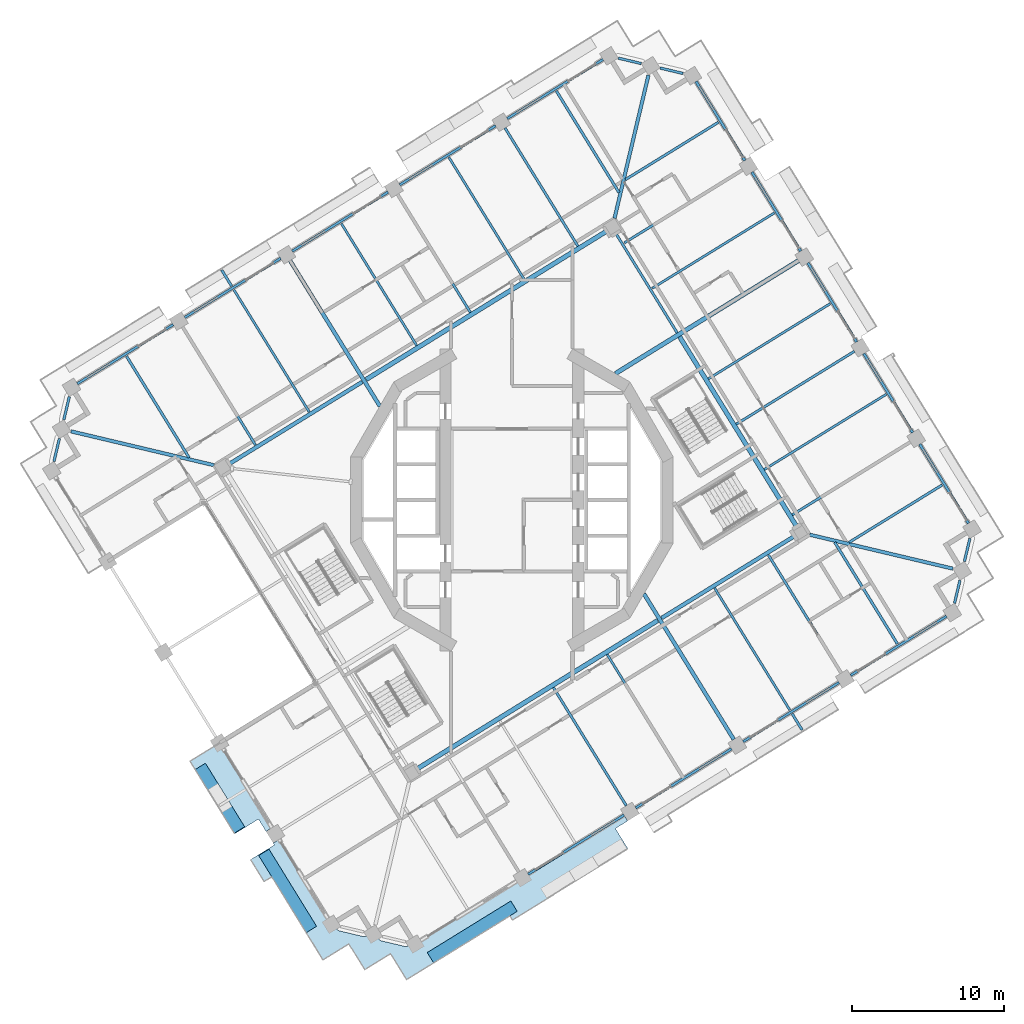
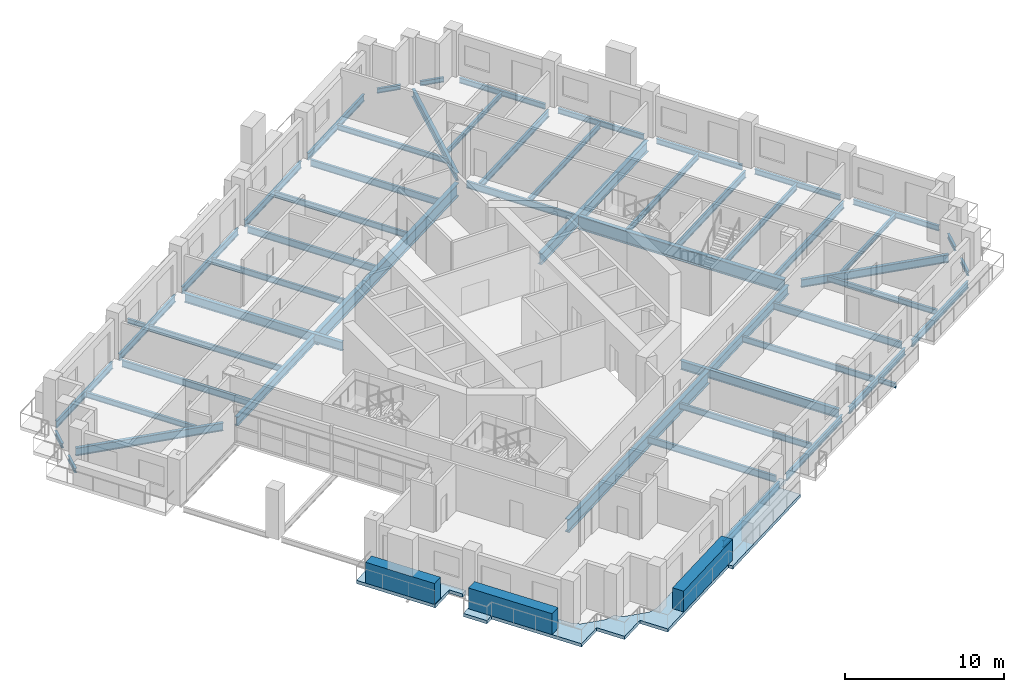
# One storey, part 3 of 20: 55 beams, 3 plates, 2 slabs.
"""IFC4 building model written with IfcOpenShell, lengths in metres."""

from ifc_helpers import new_model, si_unit, direction, frame, origin, origin_2d, place, context, subcontext, project, spatial, polyline, rectangle, i_section, outline, extrude, material, layer, layer_set, material_profile, profile_set, type_object, element, save


model = new_model("IFC4")

# Units and contexts
model_context = context("Model", 3, precision=1e-05, world=origin(), true_north=direction((0.0, 1.0)))
body_context = subcontext(model_context, "Body", "Model", "MODEL_VIEW")
ifc_project = project(units=[si_unit("LENGTHUNIT", "METRE"), si_unit("AREAUNIT", "SQUARE_METRE"), si_unit("VOLUMEUNIT", "CUBIC_METRE"), si_unit("PLANEANGLEUNIT", "RADIAN"), si_unit("MASSUNIT", "GRAM", prefix="KILO")], contexts=[model_context])

# Site, building, storey
site_placement = place(None, origin())
site = spatial("IfcSite", under=ifc_project, at=site_placement, CompositionType="ELEMENT")
building_placement = place(site_placement, origin())
building = spatial("IfcBuilding", under=site, at=building_placement, Name="Cantera Rosa Tower", CompositionType="ELEMENT")
storey_placement = place(building_placement, frame((0.0, 0.0, 151.39990234375)))
storey = spatial("IfcBuildingStorey", under=building, at=storey_placement, Name="L32", CompositionType="ELEMENT", Elevation=151.39990234375)

# Beams
ifc_material_1 = material(Name="Steel ASTM A992 (Fy 345 MPa)", Category="steel")
ifc_material_profile_1 = material_profile(ifc_material_1, i_section(OverallWidth=0.300048828125, OverallDepth=0.990966796875, WebThickness=0.0166015625, FlangeThickness=0.030517578125, FilletRadius=0.030029296875, at=origin_2d()), Name="W1000X272")
ifc_profile_set_1 = profile_set([ifc_material_profile_1], Name="Steel ASTM A992 (Fy 345 MPa)")
beam_type_1 = type_object("IfcBeamType", Name="STEEL BEAM W1000X272", PredefinedType="BEAM", material=ifc_profile_set_1)
beam_1_placement = place(storey_placement, frame((18.767822265625, -1.75927734375, -0.745361328125), z_axis=(-0.524974072618, 0.851118219215, 0.0), x_axis=(-0.851118219215, -0.524974072618, 0.0)))
element("IfcBeam", 1, at=beam_1_placement, inside=storey, type_object=beam_type_1, Name="RB-Z3-05 L32", PredefinedType="BEAM", context=body_context, shape_type="SweptSolid", body=[
    extrude(i_section(OverallWidth=0.300048828125, OverallDepth=0.990966796875, WebThickness=0.0166015625, FlangeThickness=0.030517578125, FilletRadius=0.030029296875, at=origin_2d()), origin(), (0.0, 0.0, 1.0), 14.7099609375),
])
ifc_material_2 = material(Name="Steel ASTM A992 (Fy 345 MPa)", Category="steel")
ifc_material_profile_2 = material_profile(ifc_material_2, i_section(OverallWidth=0.302001953125, OverallDepth=1.010009765625, WebThickness=0.02099609375, FlangeThickness=0.0400390625, FilletRadius=0.030029296875, at=origin_2d()), Name="W1000X350")
ifc_profile_set_2 = profile_set([ifc_material_profile_2], Name="Steel ASTM A992 (Fy 345 MPa)")
beam_type_2 = type_object("IfcBeamType", Name="STEEL BEAM W1000X350", PredefinedType="BEAM", material=ifc_profile_set_2)
for number, where, z_axis, x_axis, name in (
    (2, (-9.607666015625, 7.93798828125, -0.7548828125), (0.851118702028, 0.524973289852, 0.0), (-0.524973289852, 0.851118702028, 0.0), "RB-Z3-02 L32"),
    (3, (-6.231689453125, -17.707763671875, -0.7548828125), (0.851118702028, 0.524973289852, 0.0), (-0.524973289852, 0.851118702028, 0.0), "RB-Z3-03 L32"),
):
    element("IfcBeam", number, at=place(storey_placement, frame(where, z_axis=z_axis, x_axis=x_axis)), inside=storey, type_object=beam_type_2, Name=name, PredefinedType="BEAM", context=body_context, shape_type="SweptSolid", body=[
        extrude(i_section(OverallWidth=0.302001953125, OverallDepth=1.010009765625, WebThickness=0.02099609375, FlangeThickness=0.0400390625, FilletRadius=0.030029296875, at=origin_2d()), origin(), (0.0, 0.0, 1.0), 18.610107421875),
    ])
ifc_material_3 = material(Name="Steel ASTM A992 (Fy 345 MPa)", Category="steel")
ifc_material_profile_3 = material_profile(ifc_material_3, i_section(OverallWidth=0.166015625, OverallDepth=0.528076171875, WebThickness=0.009765625, FlangeThickness=0.013671875, FilletRadius=0.0126953125, at=origin_2d()), Name="W530X74")
ifc_profile_set_3 = profile_set([ifc_material_profile_3], Name="Steel ASTM A992 (Fy 345 MPa)")
beam_type_3 = type_object("IfcBeamType", Name="STEEL BEAM W530X74", PredefinedType="BEAM", material=ifc_profile_set_3)
beam_2_placement = place(storey_placement, frame((26.252685546875, 3.82080078125, -0.513916015625), z_axis=(-0.851116426313, -0.524976979362, 0.0), x_axis=(0.524976979362, -0.851116426313, 0.0)))
element("IfcBeam", 4, at=beam_2_placement, inside=storey, type_object=beam_type_3, Name="G-Z3-01 L32", PredefinedType="BEAM", context=body_context, shape_type="SweptSolid", body=[
    extrude(i_section(OverallWidth=0.166015625, OverallDepth=0.528076171875, WebThickness=0.009765625, FlangeThickness=0.013671875, FilletRadius=0.0126953125, at=origin_2d()), origin(), (0.0, 0.0, 1.0), 9.14990234375),
])
for number, where, z_axis, x_axis, name in (
    (5, (22.5673828125, 9.795654296875, -0.513916015625), (-0.851123779764, -0.524965057427, 0.0), (0.524965057427, -0.851123779764, 0.0), "G-Z3-02 L32"),
    (6, (15.19677734375, 21.745361328125, -0.513916015625), (-0.851123779764, -0.524965057427, 0.0), (0.524965057427, -0.851123779764, 0.0), "G-Z3-04 L32"),
):
    element("IfcBeam", number, at=place(storey_placement, frame(where, z_axis=z_axis, x_axis=x_axis)), inside=storey, type_object=beam_type_3, Name=name, PredefinedType="BEAM", context=body_context, shape_type="SweptSolid", body=[
        extrude(i_section(OverallWidth=0.166015625, OverallDepth=0.528076171875, WebThickness=0.009765625, FlangeThickness=0.013671875, FilletRadius=0.0126953125, at=origin_2d()), origin(), (0.0, 0.0, 1.0), 9.150146484375),
    ])
beam_3_placement = place(storey_placement, frame((-0.455078125, 24.51025390625, -0.513916015625), z_axis=(0.524976979362, -0.851116426313, 0.0), x_axis=(0.851116426313, 0.524976979362, 0.0)))
element("IfcBeam", 7, at=beam_3_placement, inside=storey, type_object=beam_type_3, Name="G-Z3-05 L32", PredefinedType="BEAM", context=body_context, shape_type="SweptSolid", body=[
    extrude(i_section(OverallWidth=0.166015625, OverallDepth=0.528076171875, WebThickness=0.009765625, FlangeThickness=0.013671875, FilletRadius=0.0126953125, at=origin_2d()), origin(), (0.0, 0.0, 1.0), 9.14990234375),
])
beam_4_placement = place(storey_placement, frame((-7.536376953125, 20.142578125, -0.513916015625), z_axis=(0.524965057427, -0.851123779764, 0.0), x_axis=(0.851123779764, 0.524965057427, 0.0)))
element("IfcBeam", 8, at=beam_4_placement, inside=storey, type_object=beam_type_3, Name="G-Z3-06 L32", PredefinedType="BEAM", context=body_context, shape_type="SweptSolid", body=[
    extrude(i_section(OverallWidth=0.166015625, OverallDepth=0.528076171875, WebThickness=0.009765625, FlangeThickness=0.013671875, FilletRadius=0.0126953125, at=origin_2d()), origin(), (0.0, 0.0, 1.0), 9.150146484375),
])
beam_5_placement = place(storey_placement, frame((-21.698974609375, 11.40673828125, -0.513916015625), z_axis=(0.524976979362, -0.851116426313, 0.0), x_axis=(0.851116426313, 0.524976979362, 0.0)))
element("IfcBeam", 9, at=beam_5_placement, inside=storey, type_object=beam_type_3, Name="G-Z3-08 L32", PredefinedType="BEAM", context=body_context, shape_type="SweptSolid", body=[
    extrude(i_section(OverallWidth=0.166015625, OverallDepth=0.528076171875, WebThickness=0.009765625, FlangeThickness=0.013671875, FilletRadius=0.0126953125, at=origin_2d()), origin(), (0.0, 0.0, 1.0), 9.14990234375),
])
beam_6_placement = place(storey_placement, frame((7.536376953125, -20.142578125, -0.513916015625), z_axis=(-0.524965057427, 0.851123779764, 0.0), x_axis=(-0.851123779764, -0.524965057427, 0.0)))
element("IfcBeam", 10, at=beam_6_placement, inside=storey, type_object=beam_type_3, Name="G-Z3-10 L32", PredefinedType="BEAM", context=body_context, shape_type="SweptSolid", body=[
    extrude(i_section(OverallWidth=0.166015625, OverallDepth=0.528076171875, WebThickness=0.009765625, FlangeThickness=0.013671875, FilletRadius=0.0126953125, at=origin_2d()), origin(), (0.0, 0.0, 1.0), 9.150146484375),
])
beam_7_placement = place(storey_placement, frame((21.698974609375, -11.40673828125, -0.513916015625), z_axis=(-0.524976979362, 0.851116426313, 0.0), x_axis=(-0.851116426313, -0.524976979362, 0.0)))
element("IfcBeam", 11, at=beam_7_placement, inside=storey, type_object=beam_type_3, Name="G-Z3-12 L32", PredefinedType="BEAM", context=body_context, shape_type="SweptSolid", body=[
    extrude(i_section(OverallWidth=0.166015625, OverallDepth=0.528076171875, WebThickness=0.009765625, FlangeThickness=0.013671875, FilletRadius=0.0126953125, at=origin_2d()), origin(), (0.0, 0.0, 1.0), 9.14990234375),
])
beam_8_placement = place(storey_placement, frame((10.887939453125, 11.015869140625, -0.513916015625), z_axis=(-0.52497571981, 0.851117203216, 0.0), x_axis=(-0.851117203216, -0.52497571981, 0.0)))
element("IfcBeam", 12, at=beam_8_placement, inside=storey, type_object=beam_type_3, Name="RB-Z3-06 L32", PredefinedType="BEAM", context=body_context, shape_type="SweptSolid", body=[
    extrude(i_section(OverallWidth=0.166015625, OverallDepth=0.528076171875, WebThickness=0.009765625, FlangeThickness=0.013671875, FilletRadius=0.0126953125, at=origin_2d()), origin(), (0.0, 0.0, 1.0), 7.690185546875),
])
ifc_material_4 = material(Name="Steel ASTM A992 (Fy 345 MPa)", Category="steel")
ifc_material_profile_4 = material_profile(ifc_material_4, i_section(OverallWidth=0.22802734375, OverallDepth=0.60205078125, WebThickness=0.010498046875, FlangeThickness=0.014892578125, FilletRadius=0.0126953125, at=origin_2d()), Name="W610X101")
ifc_profile_set_4 = profile_set([ifc_material_profile_4], Name="Steel ASTM A992 (Fy 345 MPa)")
beam_type_4 = type_object("IfcBeamType", Name="STEEL BEAM W610X101", PredefinedType="BEAM", material=ifc_profile_set_4)
for number, where, z_axis, x_axis, name in (
    (13, (8.995361328125, 27.989501953125, -0.55078125), (-0.230622120091, -0.973043389436, 0.0), (0.973043389436, -0.230622120091, 0.0), "CB-Z3-01 L32"),
    (14, (-29.049560546875, 4.523193359375, -0.55078125), (0.973043389436, -0.230622120091, 0.0), (0.230622120091, 0.973043389436, 0.0), "CB-Z3-02 L32"),
    (15, (29.049560546875, -4.523193359375, -0.55078125), (-0.973043389436, 0.230622120091, 0.0), (-0.230622120091, -0.973043389436, 0.0), "CB-Z3-04 L32"),
):
    element("IfcBeam", number, at=place(storey_placement, frame(where, z_axis=z_axis, x_axis=x_axis)), inside=storey, type_object=beam_type_4, Name=name, PredefinedType="BEAM", context=body_context, shape_type="SweptSolid", body=[
        extrude(i_section(OverallWidth=0.22802734375, OverallDepth=0.60205078125, WebThickness=0.010498046875, FlangeThickness=0.014892578125, FilletRadius=0.0126953125, at=origin_2d()), origin(), (0.0, 0.0, 1.0), 9.6875),
    ])
ifc_material_5 = material(Name="Steel ASTM A992 (Fy 345 MPa)", Category="steel")
ifc_material_profile_5 = material_profile(ifc_material_5, i_section(OverallWidth=0.25390625, OverallDepth=0.677978515625, WebThickness=0.01171875, FlangeThickness=0.016357421875, FilletRadius=0.01513671875, at=origin_2d()), Name="W690X125")
ifc_profile_set_5 = profile_set([ifc_material_profile_5], Name="Steel ASTM A992 (Fy 345 MPa)")
beam_type_5 = type_object("IfcBeamType", Name="STEEL BEAM W690X125", PredefinedType="BEAM", material=ifc_profile_set_5)
for number, where, z_axis, x_axis, name in (
    (16, (-14.61767578125, 15.774658203125, -0.5888671875), (0.524984160378, -0.85111199695, 0.0), (0.85111199695, 0.524984160378, 0.0), "G-Z3-07 L32"),
    (17, (14.61767578125, -15.774658203125, -0.5888671875), (-0.524984160378, 0.85111199695, 0.0), (-0.85111199695, -0.524984160378, 0.0), "G-Z3-11 L32"),
):
    element("IfcBeam", number, at=place(storey_placement, frame(where, z_axis=z_axis, x_axis=x_axis)), inside=storey, type_object=beam_type_5, Name=name, PredefinedType="BEAM", context=body_context, shape_type="SweptSolid", body=[
        extrude(i_section(OverallWidth=0.25390625, OverallDepth=0.677978515625, WebThickness=0.01171875, FlangeThickness=0.016357421875, FilletRadius=0.01513671875, at=origin_2d()), origin(), (0.0, 0.0, 1.0), 11.271728515625),
    ])
for number, where, z_axis, x_axis, name in (
    (18, (-18.62109375, 2.37841796875, -0.5888671875), (0.851114508358, 0.524980088825, 0.0), (-0.524980088825, 0.851114508358, 0.0), "RB-Z3-01 L32"),
    (19, (9.863037109375, -7.780517578125, -0.5888671875), (0.851114508358, 0.524980088825, 0.0), (-0.524980088825, 0.851114508358, 0.0), "RB-Z3-04 L32"),
):
    element("IfcBeam", number, at=place(storey_placement, frame(where, z_axis=z_axis, x_axis=x_axis)), inside=storey, type_object=beam_type_5, Name=name, PredefinedType="BEAM", context=body_context, shape_type="SweptSolid", body=[
        extrude(i_section(OverallWidth=0.25390625, OverallDepth=0.677978515625, WebThickness=0.01171875, FlangeThickness=0.016357421875, FilletRadius=0.01513671875, at=origin_2d()), origin(), (0.0, 0.0, 1.0), 10.2900390625),
    ])
ifc_material_6 = material(Name="Steel ASTM A992 (Fy 345 MPa)", Category="steel")
ifc_material_profile_6 = material_profile(ifc_material_6, i_section(OverallWidth=0.2919921875, OverallDepth=0.8359375, WebThickness=0.013916015625, FlangeThickness=0.018798828125, FilletRadius=0.017822265625, at=origin_2d()), Name="W840X176")
ifc_profile_set_6 = profile_set([ifc_material_profile_6], Name="Steel ASTM A992 (Fy 345 MPa)")
beam_type_6 = type_object("IfcBeamType", Name="STEEL BEAM W840X176", PredefinedType="BEAM", material=ifc_profile_set_6)
beam_9_placement = place(storey_placement, frame((18.882080078125, 15.7705078125, -0.66796875), z_axis=(-0.8511231456, -0.524966085595, 0.0), x_axis=(0.524966085595, -0.8511231456, 0.0)))
element("IfcBeam", 20, at=beam_9_placement, inside=storey, type_object=beam_type_6, Name="G-Z3-03 L32", PredefinedType="BEAM", context=body_context, shape_type="SweptSolid", body=[
    extrude(i_section(OverallWidth=0.2919921875, OverallDepth=0.8359375, WebThickness=0.013916015625, FlangeThickness=0.018798828125, FilletRadius=0.017822265625, at=origin_2d()), origin(), (0.0, 0.0, 1.0), 14.17138671875),
])
ifc_material_7 = material(Name="Steel ASTM A992 (Fy 345 MPa)", Category="steel")
ifc_material_profile_7 = material_profile(ifc_material_7, i_section(OverallWidth=0.1708984375, OverallDepth=0.35595703125, WebThickness=0.00732421875, FlangeThickness=0.01171875, FilletRadius=0.010009765625, at=origin_2d()), Name="W360X51")
ifc_profile_set_7 = profile_set([ifc_material_profile_7], Name="Steel ASTM A992 (Fy 345 MPa)")
beam_type_7 = type_object("IfcBeamType", Name="STEEL JOIST W360X51", PredefinedType="JOIST", material=ifc_profile_set_7)
for number, where, z_axis, x_axis, name in (
    (21, (28.3505859375, 0.990966796875, -0.427978515625), (-0.851109089911, -0.524988873283, 0.0), (0.524988873283, -0.851109089911, 0.0), "B-Z3-01 L32"),
    (22, (13.609375, 24.890380859375, -0.427978515625), (-0.851109089911, -0.524988873283, 0.0), (0.524988873283, -0.851109089911, 0.0), "B-Z3-05 L32"),
):
    element("IfcBeam", number, at=place(storey_placement, frame(where, z_axis=z_axis, x_axis=x_axis)), inside=storey, type_object=beam_type_7, Name=name, PredefinedType="JOIST", context=body_context, shape_type="SweptSolid", body=[
        extrude(i_section(OverallWidth=0.1708984375, OverallDepth=0.35595703125, WebThickness=0.00732421875, FlangeThickness=0.01171875, FilletRadius=0.010009765625, at=origin_2d()), origin(), (0.0, 0.0, 1.0), 7.2099609375),
    ])
for number, where, z_axis, x_axis, name in (
    (23, (-18.462890625, 14.08447265625, -0.427978515625), (-0.524968880559, 0.851121421681, 0.0), (-0.851121421681, -0.524968880559, 0.0), "BS-Z3-02 L32"),
    (24, (18.462890625, -14.08447265625, -0.427978515625), (0.524968880559, -0.851121421681, 0.0), (0.851121421681, 0.524968880559, 0.0), "BS-Z3-03 L32"),
):
    element("IfcBeam", number, at=place(storey_placement, frame(where, z_axis=z_axis, x_axis=x_axis)), inside=storey, type_object=beam_type_7, Name=name, PredefinedType="JOIST", context=body_context, shape_type="SweptSolid", body=[
        extrude(i_section(OverallWidth=0.1708984375, OverallDepth=0.35595703125, WebThickness=0.00732421875, FlangeThickness=0.01171875, FilletRadius=0.010009765625, at=origin_2d()), origin(), (0.0, 0.0, 1.0), 1.25),
    ])
ifc_material_8 = material(Name="Steel ASTM A992 (Fy 345 MPa)", Category="steel")
ifc_material_profile_8 = material_profile(ifc_material_8, i_section(OverallWidth=0.177978515625, OverallDepth=0.406005859375, WebThickness=0.0078125, FlangeThickness=0.0126953125, FilletRadius=0.01025390625, at=origin_2d()), Name="W410X60")
ifc_profile_set_8 = profile_set([ifc_material_profile_8], Name="Steel ASTM A992 (Fy 345 MPa)")
beam_type_8 = type_object("IfcBeamType", Name="STEEL JOIST W410X60", PredefinedType="JOIST", material=ifc_profile_set_8)
beam_10_placement = place(storey_placement, frame((2.927978515625, 26.949462890625, -0.452880859375), z_axis=(0.524994840515, -0.85110540912, 0.0), x_axis=(0.85110540912, 0.524994840515, 0.0)))
element("IfcBeam", 25, at=beam_10_placement, inside=storey, type_object=beam_type_8, Name="B-Z3-06 L32", PredefinedType="JOIST", context=body_context, shape_type="SweptSolid", body=[
    extrude(i_section(OverallWidth=0.177978515625, OverallDepth=0.406005859375, WebThickness=0.0078125, FlangeThickness=0.0126953125, FilletRadius=0.01025390625, at=origin_2d()), origin(), (0.0, 0.0, 1.0), 7.860107421875),
])
for number, where, z_axis, x_axis, name in (
    (26, (-25.39697265625, 9.478271484375, -0.452880859375), (0.524972339906, -0.851119287958, 0.0), (0.851119287958, 0.524972339906, 0.0), "B-Z3-10 L32"),
    (27, (25.39697265625, -9.478271484375, -0.452880859375), (-0.524972339906, 0.851119287958, 0.0), (-0.851119287958, -0.524972339906, 0.0), "B-Z3-15 L32"),
):
    element("IfcBeam", number, at=place(storey_placement, frame(where, z_axis=z_axis, x_axis=x_axis)), inside=storey, type_object=beam_type_8, Name=name, PredefinedType="JOIST", context=body_context, shape_type="SweptSolid", body=[
        extrude(i_section(OverallWidth=0.177978515625, OverallDepth=0.406005859375, WebThickness=0.0078125, FlangeThickness=0.0126953125, FilletRadius=0.01025390625, at=origin_2d()), origin(), (0.0, 0.0, 1.0), 7.85986328125),
    ])
ifc_material_9 = material(Name="Steel ASTM A992 (Fy 345 MPa)", Category="steel")
ifc_material_profile_9 = material_profile(ifc_material_9, i_section(OverallWidth=0.154052734375, OverallDepth=0.4599609375, WebThickness=0.009033203125, FlangeThickness=0.015380859375, FilletRadius=0.01025390625, at=origin_2d()), Name="W460X68")
ifc_profile_set_9 = profile_set([ifc_material_profile_9], Name="Steel ASTM A992 (Fy 345 MPa)")
beam_type_9 = type_object("IfcBeamType", Name="STEEL JOIST W460X68", PredefinedType="JOIST", material=ifc_profile_set_9)
for number, where, z_axis, x_axis, name in (
    (28, (24.665283203125, 6.9658203125, -0.47998046875), (-0.851118539758, -0.524973552935, 0.0), (0.524973552935, -0.851118539758, 0.0), "B-Z3-02 L32"),
    (29, (20.97998046875, 12.940673828125, -0.47998046875), (-0.851118539758, -0.524973552935, 0.0), (0.524973552935, -0.851118539758, 0.0), "B-Z3-03 L32"),
    (30, (17.294677734375, 18.91552734375, -0.47998046875), (-0.851118539758, -0.524973552935, 0.0), (0.524973552935, -0.851118539758, 0.0), "B-Z3-04 L32"),
):
    element("IfcBeam", number, at=place(storey_placement, frame(where, z_axis=z_axis, x_axis=x_axis)), inside=storey, type_object=beam_type_9, Name=name, PredefinedType="JOIST", context=body_context, shape_type="SweptSolid", body=[
        extrude(i_section(OverallWidth=0.154052734375, OverallDepth=0.4599609375, WebThickness=0.009033203125, FlangeThickness=0.015380859375, FilletRadius=0.01025390625, at=origin_2d()), origin(), (0.0, 0.0, 1.0), 9.449951171875),
    ])
beam_11_placement = place(storey_placement, frame((-4.1533203125, 22.581787109375, -0.47998046875), z_axis=(0.524980724235, -0.851114116427, 0.0), x_axis=(0.851114116427, 0.524980724235, 0.0)))
element("IfcBeam", 31, at=beam_11_placement, inside=storey, type_object=beam_type_9, Name="B-Z3-07 L32", PredefinedType="JOIST", context=body_context, shape_type="SweptSolid", body=[
    extrude(i_section(OverallWidth=0.154052734375, OverallDepth=0.4599609375, WebThickness=0.009033203125, FlangeThickness=0.015380859375, FilletRadius=0.01025390625, at=origin_2d()), origin(), (0.0, 0.0, 1.0), 9.4501953125),
])
beam_12_placement = place(storey_placement, frame((-11.234619140625, 18.2138671875, -0.47998046875), z_axis=(0.524992267726, -0.85110699611, 0.0), x_axis=(0.85110699611, 0.524992267726, 0.0)))
element("IfcBeam", 32, at=beam_12_placement, inside=storey, type_object=beam_type_9, Name="B-Z3-08 L32", PredefinedType="JOIST", context=body_context, shape_type="SweptSolid", body=[
    extrude(i_section(OverallWidth=0.154052734375, OverallDepth=0.4599609375, WebThickness=0.009033203125, FlangeThickness=0.015380859375, FilletRadius=0.01025390625, at=origin_2d()), origin(), (0.0, 0.0, 1.0), 9.449951171875),
])
beam_13_placement = place(storey_placement, frame((-18.315673828125, 13.84619140625, -0.47998046875), z_axis=(0.524962009542, -0.851125659663, 0.0), x_axis=(0.851125659663, 0.524962009542, 0.0)))
element("IfcBeam", 33, at=beam_13_placement, inside=storey, type_object=beam_type_9, Name="B-Z3-09 L32", PredefinedType="JOIST", context=body_context, shape_type="SweptSolid", body=[
    extrude(i_section(OverallWidth=0.154052734375, OverallDepth=0.4599609375, WebThickness=0.009033203125, FlangeThickness=0.015380859375, FilletRadius=0.01025390625, at=origin_2d()), origin(), (0.0, 0.0, 1.0), 9.4501953125),
])
beam_14_placement = place(storey_placement, frame((11.234619140625, -18.2138671875, -0.47998046875), z_axis=(-0.524992267726, 0.85110699611, 0.0), x_axis=(-0.85110699611, -0.524992267726, 0.0)))
element("IfcBeam", 34, at=beam_14_placement, inside=storey, type_object=beam_type_9, Name="B-Z3-13 L32", PredefinedType="JOIST", context=body_context, shape_type="SweptSolid", body=[
    extrude(i_section(OverallWidth=0.154052734375, OverallDepth=0.4599609375, WebThickness=0.009033203125, FlangeThickness=0.015380859375, FilletRadius=0.01025390625, at=origin_2d()), origin(), (0.0, 0.0, 1.0), 9.449951171875),
])
beam_15_placement = place(storey_placement, frame((18.315673828125, -13.84619140625, -0.47998046875), z_axis=(-0.524962009542, 0.851125659663, 0.0), x_axis=(-0.851125659663, -0.524962009542, 0.0)))
element("IfcBeam", 35, at=beam_15_placement, inside=storey, type_object=beam_type_9, Name="B-Z3-14 L32", PredefinedType="JOIST", context=body_context, shape_type="SweptSolid", body=[
    extrude(i_section(OverallWidth=0.154052734375, OverallDepth=0.4599609375, WebThickness=0.009033203125, FlangeThickness=0.015380859375, FilletRadius=0.01025390625, at=origin_2d()), origin(), (0.0, 0.0, 1.0), 9.4501953125),
])
ifc_material_10 = material(Name="Steel ASTM A992 (Fy 345 MPa)", Category="steel")
ifc_material_profile_10 = material_profile(ifc_material_10, i_section(OverallWidth=0.1708984375, OverallDepth=0.35595703125, WebThickness=0.00732421875, FlangeThickness=0.01171875, FilletRadius=0.010009765625, at=origin_2d()), Name="W360X51")
ifc_profile_set_10 = profile_set([ifc_material_profile_10], Name="Steel ASTM A992 (Fy 345 MPa)")
beam_type_10 = type_object("IfcBeamType", Name="STEEL SPANDREL BEAM W360X51", PredefinedType="SPANDREL", material=ifc_profile_set_10)
for number, where, z_axis, x_axis, name in (
    (36, (11.275146484375, 28.103271484375, -0.427978515625), (-0.973059906546, 0.230552419793, 0.0), (-0.230552419793, -0.973059906546, 0.0), "EB-Z3-06 L32"),
    (37, (8.52294921875, 28.755615234375, -0.427978515625), (-0.973059906546, 0.230552419793, 0.0), (-0.230552419793, -0.973059906546, 0.0), "EB-Z3-07 L32"),
    (38, (-29.163330078125, 6.802734375, -0.427978515625), (-0.230552419793, -0.973059906546, 0.0), (0.973059906546, -0.230552419793, 0.0), "EB-Z3-13 L32"),
    (39, (-29.8154296875, 4.050537109375, -0.427978515625), (-0.230701014544, -0.973024687194, 0.0), (0.973024687194, -0.230701014544, 0.0), "EB-Z3-14 L32"),
    (40, (29.163330078125, -6.802734375, -0.427978515625), (0.230552419793, 0.973059906546, 0.0), (-0.973059906546, 0.230552419793, 0.0), "EB-Z3-27 L32"),
    (41, (29.8154296875, -4.050537109375, -0.427978515625), (0.230701014544, 0.973024687194, 0.0), (-0.973024687194, 0.230701014544, 0.0), "EB-Z3-28 L32"),
):
    element("IfcBeam", number, at=place(storey_placement, frame(where, z_axis=z_axis, x_axis=x_axis)), inside=storey, type_object=beam_type_10, Name=name, PredefinedType="SPANDREL", context=body_context, shape_type="SweptSolid", body=[
        extrude(i_section(OverallWidth=0.1708984375, OverallDepth=0.35595703125, WebThickness=0.00732421875, FlangeThickness=0.01171875, FilletRadius=0.010009765625, at=origin_2d()), origin(), (0.0, 0.0, 1.0), 1.5556640625),
    ])
ifc_material_11 = material(Name="Steel ASTM A992 (Fy 345 MPa)", Category="steel")
ifc_material_profile_11 = material_profile(ifc_material_11, i_section(OverallWidth=0.177978515625, OverallDepth=0.406005859375, WebThickness=0.0078125, FlangeThickness=0.0126953125, FilletRadius=0.01025390625, at=origin_2d()), Name="W410X60")
ifc_profile_set_11 = profile_set([ifc_material_profile_11], Name="Steel ASTM A992 (Fy 345 MPa)")
beam_type_11 = type_object("IfcBeamType", Name="STEEL SPANDREL BEAM W410X60", PredefinedType="SPANDREL", material=ifc_profile_set_11)
for number, where, z_axis, x_axis, name in (
    (42, (30.084716796875, -1.53466796875, -0.452880859375), (-0.524987447654, 0.851109969279, 0.0), (-0.851109969279, -0.524987447654, 0.0), "EB-Z3-01 L32"),
    (43, (26.3994140625, 4.440185546875, -0.452880859375), (-0.524987447654, 0.851109969279, 0.0), (-0.851109969279, -0.524987447654, 0.0), "EB-Z3-02 L32"),
    (44, (22.714111328125, 10.4150390625, -0.452880859375), (-0.524987447654, 0.851109969279, 0.0), (-0.851109969279, -0.524987447654, 0.0), "EB-Z3-03 L32"),
    (45, (19.02880859375, 16.389892578125, -0.452880859375), (-0.524987447654, 0.851109969279, 0.0), (-0.851109969279, -0.524987447654, 0.0), "EB-Z3-04 L32"),
    (46, (15.343505859375, 22.36474609375, -0.452880859375), (-0.524987447654, 0.851109969279, 0.0), (-0.851109969279, -0.524987447654, 0.0), "EB-Z3-05 L32"),
):
    element("IfcBeam", number, at=place(storey_placement, frame(where, z_axis=z_axis, x_axis=x_axis)), inside=storey, type_object=beam_type_11, Name=name, PredefinedType="SPANDREL", context=body_context, shape_type="SweptSolid", body=[
        extrude(i_section(OverallWidth=0.177978515625, OverallDepth=0.406005859375, WebThickness=0.0078125, FlangeThickness=0.0126953125, FilletRadius=0.01025390625, at=origin_2d()), origin(), (0.0, 0.0, 1.0), 6.119873046875),
    ])
ifc_material_12 = material(Name="Steel ASTM A992 (Fy 345 MPa)", Category="steel")
ifc_material_profile_12 = material_profile(ifc_material_12, i_section(OverallWidth=0.166015625, OverallDepth=0.528076171875, WebThickness=0.009765625, FlangeThickness=0.013671875, FilletRadius=0.0126953125, at=origin_2d()), Name="W530X74")
ifc_profile_set_12 = profile_set([ifc_material_profile_12], Name="Steel ASTM A992 (Fy 345 MPa)")
beam_type_12 = type_object("IfcBeamType", Name="STEEL SPANDREL BEAM W530X74", PredefinedType="SPANDREL", material=ifc_profile_set_12)
for number, where, z_axis, x_axis, name in (
    (47, (6.007080078125, 29.02490234375, -0.513916015625), (-0.851111085575, -0.524985637909, 0.0), (0.524985637909, -0.851111085575, 0.0), "EB-Z3-08 L32"),
    (48, (-1.07421875, 24.656982421875, -0.513916015625), (-0.85112578684, -0.524961803349, 0.0), (0.524961803349, -0.85112578684, 0.0), "EB-Z3-09 L32"),
    (49, (-8.155517578125, 20.289306640625, -0.513916015625), (-0.851111085575, -0.524985637909, 0.0), (0.524985637909, -0.851111085575, 0.0), "EB-Z3-10 L32"),
    (50, (-15.23681640625, 15.92138671875, -0.513916015625), (-0.85112578684, -0.524961803349, 0.0), (0.524961803349, -0.85112578684, 0.0), "EB-Z3-11 L32"),
    (51, (-22.318115234375, 11.5537109375, -0.513916015625), (-0.851111085575, -0.524985637909, 0.0), (0.524985637909, -0.851111085575, 0.0), "EB-Z3-12 L32"),
    (52, (1.07421875, -24.656982421875, -0.513916015625), (0.85112578684, 0.524961803349, 0.0), (-0.524961803349, 0.85112578684, 0.0), "EB-Z3-23 L32"),
    (53, (8.155517578125, -20.289306640625, -0.513916015625), (0.851111085575, 0.524985637909, 0.0), (-0.524985637909, 0.851111085575, 0.0), "EB-Z3-24 L32"),
    (54, (15.23681640625, -15.92138671875, -0.513916015625), (0.85112578684, 0.524961803349, 0.0), (-0.524961803349, 0.85112578684, 0.0), "EB-Z3-25 L32"),
    (55, (22.318115234375, -11.5537109375, -0.513916015625), (0.851111085575, 0.524985637909, 0.0), (-0.524985637909, 0.851111085575, 0.0), "EB-Z3-26 L32"),
):
    element("IfcBeam", number, at=place(storey_placement, frame(where, z_axis=z_axis, x_axis=x_axis)), inside=storey, type_object=beam_type_12, Name=name, PredefinedType="SPANDREL", context=body_context, shape_type="SweptSolid", body=[
        extrude(i_section(OverallWidth=0.166015625, OverallDepth=0.528076171875, WebThickness=0.009765625, FlangeThickness=0.013671875, FilletRadius=0.0126953125, at=origin_2d()), origin(), (0.0, 0.0, 1.0), 7.420166015625),
    ])

# Slabs
ifc_material_13 = material(Name="Concrete C35/45", Category="concrete")
ifc_layer = layer(ifc_material_13, 0.25)
ifc_layer_set = layer_set([ifc_layer], Name="LOGGIA SLAB 250 C35/45")
slab_type = type_object("IfcSlabType", Name="LOGGIA SLAB 250 C35/45", PredefinedType="FLOOR", material=ifc_layer_set)
slab_1_placement = place(storey_placement, frame((0.0, 0.0, -0.25)))
element("IfcSlab", 56, at=slab_1_placement, inside=storey, type_object=slab_type, Name="LOGGIA SLAB L32 2", PredefinedType="FLOOR", context=body_context, shape_type="SweptSolid", body=[
    extrude(outline(polyline([(-16.198974609375, -21.8349609375), (-16.69775390625, -21.0263671875), (-18.265380859375, -21.993408203125), (-21.2158203125, -17.210205078125), (-19.264892578125, -16.0068359375), (-15.81591796875, -21.5986328125), (-16.198974609375, -21.8349609375)])), origin(), (0.0, 0.0, 1.0), 0.25),
])
slab_2_placement = place(storey_placement, frame((0.0, 0.0, -0.25)))
element("IfcSlab", 57, at=slab_2_placement, inside=storey, type_object=slab_type, Name="LOGGIA SLAB L32 4", PredefinedType="FLOOR", context=body_context, shape_type="SweptSolid", body=[
    extrude(outline(polyline([(-5.49755859375, -30.7080078125), (-6.9443359375, -31.600341796875), (-7.8369140625, -30.153564453125), (-7.994384765625, -29.898193359375), (-8.249755859375, -30.0556640625), (-9.696533203125, -30.9482421875), (-10.589111328125, -29.501220703125), (-10.74658203125, -29.245849609375), (-11.001953125, -29.4033203125), (-12.44873046875, -30.2958984375), (-13.34130859375, -28.84912109375), (-15.823486328125, -24.82470703125), (-16.3271484375, -25.135498046875), (-17.21533203125, -23.695556640625), (-15.647705078125, -22.728515625), (-15.7265625, -22.600830078125), (-15.343505859375, -22.36474609375), (-12.408935546875, -27.122314453125), (-11.894287109375, -27.95654296875), (-11.4736328125, -28.328125), (-11.45068359375, -28.346435546875), (-11.426025390625, -28.362548828125), (-11.39990234375, -28.376220703125), (-11.37255859375, -28.386962890625), (-11.34423828125, -28.395263671875), (-9.83056640625, -28.75390625), (-9.801513671875, -28.75927734375), (-9.772216796875, -28.76171875), (-9.742919921875, -28.761474609375), (-9.713623046875, -28.75830078125), (-9.684814453125, -28.752197265625), (-9.14208984375, -28.60888671875), (-8.721435546875, -28.98046875), (-8.698486328125, -28.998779296875), (-8.673828125, -29.014892578125), (-8.647705078125, -29.0283203125), (-8.620361328125, -29.039306640625), (-8.592041015625, -29.047607421875), (-7.078369140625, -29.40625), (-7.049560546875, -29.41162109375), (-7.02001953125, -29.4140625), (-6.99072265625, -29.413818359375), (-6.96142578125, -29.410400390625), (-6.9326171875, -29.404296875), (-6.389892578125, -29.260986328125), (7.3896484375, -20.76171875), (7.625732421875, -21.144775390625), (6.8173828125, -21.643310546875), (7.6416015625, -22.97998046875), (0.032470703125, -27.67333984375), (-0.1357421875, -27.40087890625), (-5.49755859375, -30.7080078125)])), origin(), (0.0, 0.0, 1.0), 0.25),
])

# Plates
ifc_material_14 = material(Name="Cantera stone planter with soil", Category="masonry")
plate_type = type_object("IfcPlateType", Name="PLANTER 800", PredefinedType="USERDEFINED", material=ifc_material_14)
plate_1_placement = place(storey_placement, frame((-19.24267578125, -19.64697265625, 0.0), z_axis=(0.0, 0.0, 1.0), x_axis=(0.52497658034, -0.851116672434, 0.0)))
element("IfcPlate", 58, at=plate_1_placement, inside=storey, type_object=plate_type, Name="PLANTER L32-14", ObjectType="PLANTER", PredefinedType="USERDEFINED", context=body_context, shape_type="SweptSolid", body=[
    extrude(rectangle(XDim=4.919921875, YDim=0.800048828125, at=origin_2d()), origin(), (0.0, 0.0, 1.0), 1.60009765625),
])
plate_2_placement = place(storey_placement, frame((-14.77783203125, -25.758056640625, 0.0), z_axis=(0.0, 0.0, 1.0), x_axis=(0.52497658034, -0.851116672434, 0.0)))
element("IfcPlate", 59, at=plate_2_placement, inside=storey, type_object=plate_type, Name="PLANTER L32-15", ObjectType="PLANTER", PredefinedType="USERDEFINED", context=body_context, shape_type="SweptSolid", body=[
    extrude(rectangle(XDim=5.969970703125, YDim=0.800048828125, at=origin_2d()), origin(), (0.0, 0.0, 1.0), 1.60009765625),
])
plate_3_placement = place(storey_placement, frame((-2.61376953125, -28.459228515625, 0.0), z_axis=(0.0, 0.0, 1.0), x_axis=(0.851116672434, 0.52497658034, 0.0)))
element("IfcPlate", 60, at=plate_3_placement, inside=storey, type_object=plate_type, Name="PLANTER L32-16", ObjectType="PLANTER", PredefinedType="USERDEFINED", context=body_context, shape_type="SweptSolid", body=[
    extrude(rectangle(XDim=6.469970703125, YDim=0.800048828125, at=origin_2d()), origin(), (0.0, 0.0, 1.0), 1.60009765625),
])

save(model, "model.ifc")
